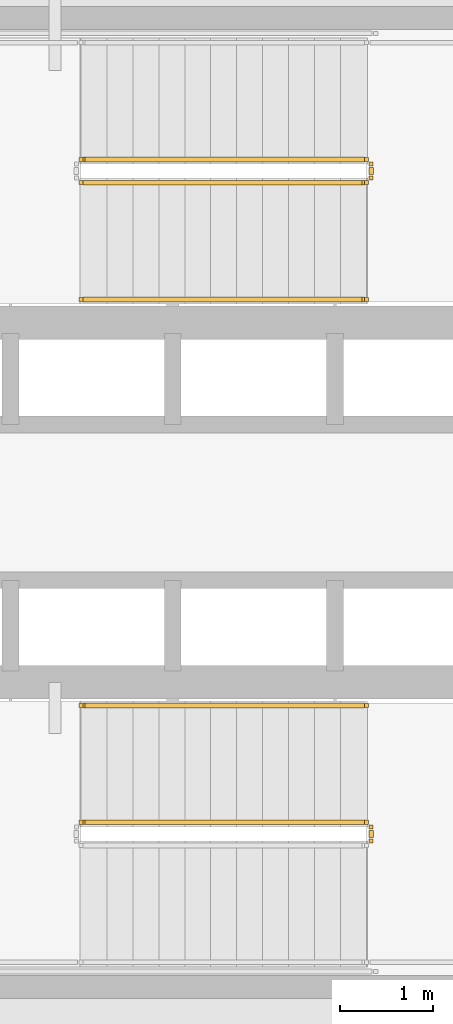
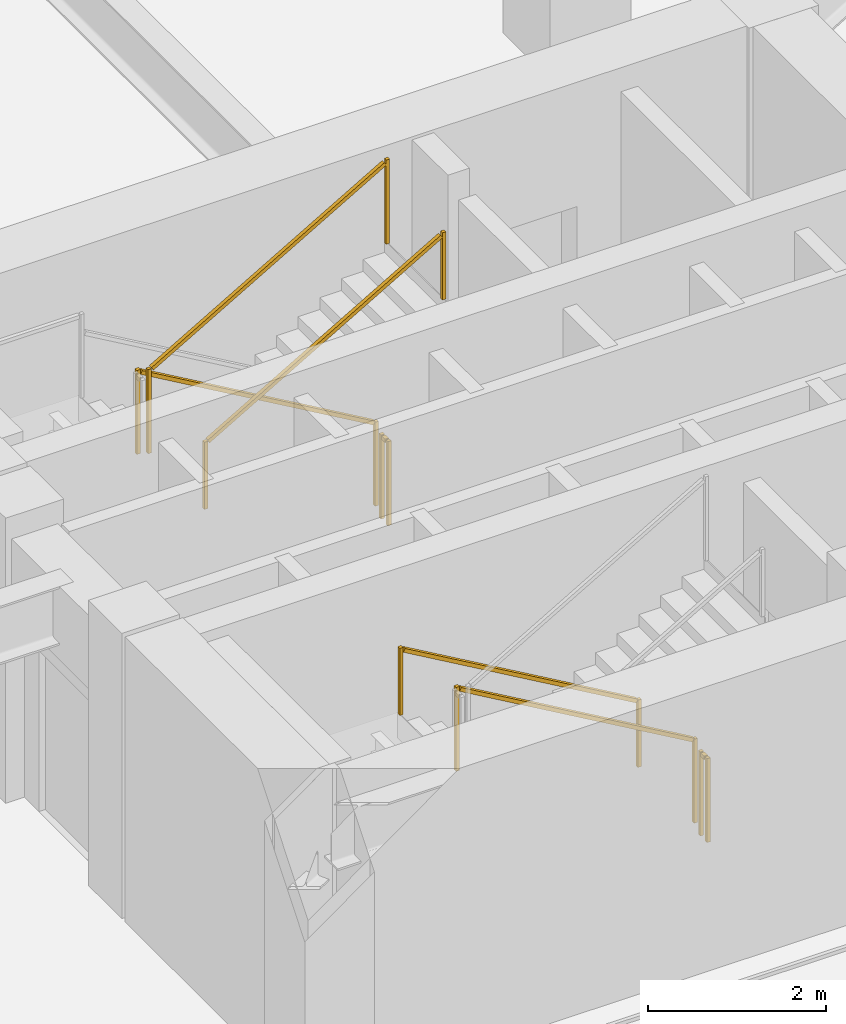
# One storey, part 10 of 15: 7 railings.
"""IFC4 building model written with IfcOpenShell, lengths in metres."""

from ifc_helpers import new_model, si_unit, direction, frame, origin, origin_2d, place, context, subcontext, project, spatial, rectangle, extrude, material, type_object, element, save


model = new_model("IFC4")

# Units and contexts
model_context = context("Model", 3, precision=1e-05, world=origin(), true_north=direction((0.0, 1.0)))
body_context = subcontext(model_context, "Body", "Model", "MODEL_VIEW")
ifc_project = project(units=[si_unit("LENGTHUNIT", "METRE"), si_unit("AREAUNIT", "SQUARE_METRE"), si_unit("VOLUMEUNIT", "CUBIC_METRE"), si_unit("PLANEANGLEUNIT", "RADIAN"), si_unit("MASSUNIT", "GRAM", prefix="KILO")], contexts=[model_context])

# Site, building, storey
site_placement = place(None, origin())
site = spatial("IfcSite", under=ifc_project, at=site_placement, CompositionType="ELEMENT")
building_placement = place(site_placement, origin())
building = spatial("IfcBuilding", under=site, at=building_placement, Name="Yunling Apex Tower", CompositionType="ELEMENT")
storey_placement = place(building_placement, frame((0.0, 0.0, 12.300048828125)))
storey = spatial("IfcBuildingStorey", under=building, at=storey_placement, Name="L04", CompositionType="ELEMENT", Elevation=12.300048828125)

# Railings
ifc_material_1 = material(Name="Steel Q355B", Category="steel")
railing_type_1 = type_object("IfcRailingType", Name="RL-GRD-1150", PredefinedType="GUARDRAIL", material=ifc_material_1)
railing_1_placement = place(storey_placement, frame((-0.010009765625, 3.699951171875, 0.162353515625)))
element("IfcRailing", 1, at=railing_1_placement, inside=storey, type_object=railing_type_1, Name="L04 ST-1 stair guard 1", PredefinedType="GUARDRAIL", context=body_context, shape_type="SweptSolid", body=[
    extrude(rectangle(XDim=0.0439453125, YDim=0.0439453125, at=origin_2d()), origin(), (0.0, 0.0, 1.0), 1.14990234375),
    extrude(rectangle(XDim=0.0439453125, YDim=0.0439453125, at=origin_2d()), frame((-3.080078125, 0.0, 1.78759765625)), (0.0, 0.0, 1.0), 1.14990234375),
    extrude(rectangle(XDim=0.050048828125, YDim=0.050048828125, at=origin_2d()), frame((-0.033203125, 0.0, 1.14404296875), z_axis=(-0.864890721111, 0.0, 0.501960198159), x_axis=(0.0, -1.0, 0.0)), (0.0, 0.0, 1.0), 3.484619140625),
])
railing_2_placement = place(storey_placement, frame((-3.090087890625, 3.449951171875, 2.112548828125)))
element("IfcRailing", 2, at=railing_2_placement, inside=storey, type_object=railing_type_1, Name="L04 ST-1 stair guard 4", PredefinedType="GUARDRAIL", context=body_context, shape_type="SweptSolid", body=[
    extrude(rectangle(XDim=0.0439453125, YDim=0.0439453125, at=origin_2d()), origin(), (0.0, 0.0, 1.0), 1.14990234375),
    extrude(rectangle(XDim=0.0439453125, YDim=0.0439453125, at=origin_2d()), frame((3.080078125, 0.0, 1.787353515625)), (0.0, 0.0, 1.0), 1.14990234375),
    extrude(rectangle(XDim=0.050048828125, YDim=0.050048828125, at=origin_2d()), frame((0.033203125, 0.0, 1.14404296875), z_axis=(0.864920483161, 0.0, 0.501908913857), x_axis=(0.0, 1.0, 0.0)), (0.0, 0.0, 1.0), 3.484375),
])
railing_3_placement = place(storey_placement, frame((0.0400390625, 3.64990234375, 0.0)))
element("IfcRailing", 3, at=railing_3_placement, inside=storey, type_object=railing_type_1, Name="L04 ST-1 stair guard 5", PredefinedType="GUARDRAIL", context=body_context, shape_type="SweptSolid", body=[
    extrude(rectangle(XDim=0.0439453125, YDim=0.0439453125, at=origin_2d()), origin(), (0.0, 0.0, 1.0), 1.14990234375),
    extrude(rectangle(XDim=0.0439453125, YDim=0.0439453125, at=origin_2d()), frame((0.0, -0.14990234375, 0.0)), (0.0, 0.0, 1.0), 1.14990234375),
    extrude(rectangle(XDim=0.050048828125, YDim=0.050048828125, at=origin_2d()), frame((0.0, -0.038330078125, 1.125), z_axis=(0.0, -1.0, 0.0), x_axis=(1.0, 0.0, 0.0)), (0.0, 0.0, 1.0), 0.0732421875),
])
railing_4_placement = place(storey_placement, frame((-0.010009765625, -3.449951171875, 0.162353515625)))
element("IfcRailing", 4, at=railing_4_placement, inside=storey, type_object=railing_type_1, Name="L04 ST-2 stair guard 1", PredefinedType="GUARDRAIL", context=body_context, shape_type="SweptSolid", body=[
    extrude(rectangle(XDim=0.0439453125, YDim=0.0439453125, at=origin_2d()), origin(), (0.0, 0.0, 1.0), 1.14990234375),
    extrude(rectangle(XDim=0.0439453125, YDim=0.0439453125, at=origin_2d()), frame((-3.080078125, 0.0, 1.78759765625)), (0.0, 0.0, 1.0), 1.14990234375),
    extrude(rectangle(XDim=0.050048828125, YDim=0.050048828125, at=origin_2d()), frame((-0.033203125, 0.0, 1.14404296875), z_axis=(-0.864890721111, 0.0, 0.501960198159), x_axis=(0.0, -1.0, 0.0)), (0.0, 0.0, 1.0), 3.484619140625),
])
railing_5_placement = place(storey_placement, frame((0.0400390625, -3.5, 0.0)))
element("IfcRailing", 5, at=railing_5_placement, inside=storey, type_object=railing_type_1, Name="L04 ST-2 stair guard 5", PredefinedType="GUARDRAIL", context=body_context, shape_type="SweptSolid", body=[
    extrude(rectangle(XDim=0.0439453125, YDim=0.0439453125, at=origin_2d()), origin(), (0.0, 0.0, 1.0), 1.14990234375),
    extrude(rectangle(XDim=0.0439453125, YDim=0.0439453125, at=origin_2d()), frame((0.0, -0.14990234375, 0.0)), (0.0, 0.0, 1.0), 1.14990234375),
    extrude(rectangle(XDim=0.050048828125, YDim=0.050048828125, at=origin_2d()), frame((0.0, -0.038330078125, 1.125), z_axis=(0.0, -1.0, 0.0), x_axis=(1.0, 0.0, 0.0)), (0.0, 0.0, 1.0), 0.0732421875),
])
ifc_material_2 = material(Name="Silver anodised aluminium", Category="aluminium")
railing_type_2 = type_object("IfcRailingType", Name="RL-HND-900", PredefinedType="HANDRAIL", material=ifc_material_2)
railing_6_placement = place(storey_placement, frame((-3.090087890625, 2.18994140625, 2.112548828125)))
element("IfcRailing", 6, at=railing_6_placement, inside=storey, type_object=railing_type_2, Name="L04 ST-1 stair handrail 2", PredefinedType="HANDRAIL", context=body_context, shape_type="SweptSolid", body=[
    extrude(rectangle(XDim=0.0439453125, YDim=0.0439453125, at=origin_2d()), origin(), (0.0, 0.0, 1.0), 0.919921875),
    extrude(rectangle(XDim=0.0439453125, YDim=0.0439453125, at=origin_2d()), frame((3.080078125, 0.0, 1.787353515625)), (0.0, 0.0, 1.0), 0.919921875),
    extrude(rectangle(XDim=0.050048828125, YDim=0.050048828125, at=origin_2d()), frame((0.033203125, 0.0, 0.9140625), z_axis=(0.864920483161, 0.0, 0.501908913857), x_axis=(0.0, 1.0, 0.0)), (0.0, 0.0, 1.0), 3.484375),
])
railing_7_placement = place(storey_placement, frame((-0.010009765625, -2.18994140625, 0.162353515625)))
element("IfcRailing", 7, at=railing_7_placement, inside=storey, type_object=railing_type_2, Name="L04 ST-2 stair handrail 1", PredefinedType="HANDRAIL", context=body_context, shape_type="SweptSolid", body=[
    extrude(rectangle(XDim=0.0439453125, YDim=0.0439453125, at=origin_2d()), origin(), (0.0, 0.0, 1.0), 0.919921875),
    extrude(rectangle(XDim=0.0439453125, YDim=0.0439453125, at=origin_2d()), frame((-3.080078125, 0.0, 1.78759765625)), (0.0, 0.0, 1.0), 0.919921875),
    extrude(rectangle(XDim=0.050048828125, YDim=0.050048828125, at=origin_2d()), frame((-0.033203125, 0.0, 0.9140625), z_axis=(-0.864890721111, 0.0, 0.501960198159), x_axis=(0.0, -1.0, 0.0)), (0.0, 0.0, 1.0), 3.484619140625),
])

save(model, "model.ifc")
